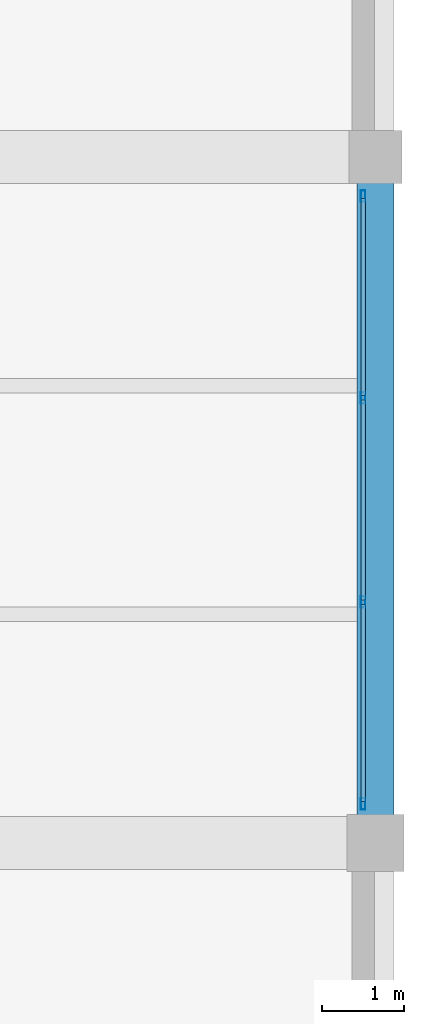
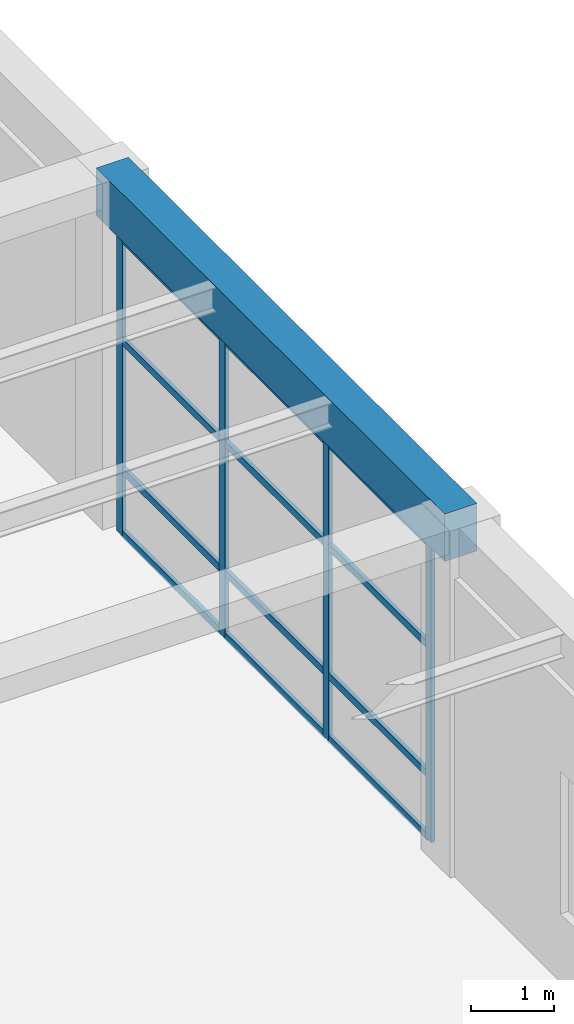
# One storey, part 58 of 96: 16 members, 1 beam, 1 element without a shape of its own.
"""IFC4 building model written with IfcOpenShell, lengths in metres."""

from ifc_helpers import new_model, si_unit, direction, frame, origin, origin_2d, place, context, subcontext, project, spatial, rectangle, hollow_rectangle, extrude, material, material_profile, profile_set, type_object, element, aggregate, save


model = new_model("IFC4")

# Units and contexts
model_context = context("Model", 3, precision=1e-05, world=origin(), true_north=direction((0.0, 1.0)))
body_context = subcontext(model_context, "Body", "Model", "MODEL_VIEW")
ifc_project = project(units=[si_unit("LENGTHUNIT", "METRE"), si_unit("AREAUNIT", "SQUARE_METRE"), si_unit("VOLUMEUNIT", "CUBIC_METRE"), si_unit("PLANEANGLEUNIT", "RADIAN"), si_unit("MASSUNIT", "GRAM", prefix="KILO")], contexts=[model_context])

# Site, building, storey
site_placement = place(None, origin())
site = spatial("IfcSite", under=ifc_project, at=site_placement, CompositionType="ELEMENT")
building_placement = place(site_placement, origin())
building = spatial("IfcBuilding", under=site, at=building_placement, Name="Almacenes y Pasaje Nevantli", CompositionType="ELEMENT")
storey_placement = place(building_placement, frame((0.0, 0.0, 6.0)))
storey = spatial("IfcBuildingStorey", under=building, at=storey_placement, Name="L02", CompositionType="ELEMENT", Elevation=6.0)

# Beam
ifc_material_1 = material(Name="Concrete C35/45", Category="concrete")
ifc_material_profile_1 = material_profile(ifc_material_1, rectangle(XDim=0.449951171875, YDim=0.699951171875, at=origin_2d()), Name="RC-BM-450x700")
ifc_profile_set_1 = profile_set([ifc_material_profile_1], Name="Concrete C35/45")
beam_type = type_object("IfcBeamType", Name="BM-RC-450x700", PredefinedType="SPANDREL", material=ifc_profile_set_1)
beam_placement = place(storey_placement, frame((168.0, 84.0, 4.75), z_axis=(0.0, 1.0, 0.0), x_axis=(-1.0, 0.0, 0.0)))
element("IfcBeam", 1, at=beam_placement, inside=storey, type_object=beam_type, Name="L02 North-South Reinforced Concrete Beam #2199", PredefinedType="SPANDREL", context=body_context, shape_type="SweptSolid", body=[
    extrude(rectangle(XDim=0.449951171875, YDim=0.699951171875, at=origin_2d()), origin(), (0.0, 0.0, 1.0), 8.39990234375),
])

# Curtain wall, members
ifc_material_2 = material(Name="Thermally Broken Aluminium and Low-E Glass", Category="aluminium")
curtain_wall_type = type_object("IfcCurtainWallType", Name="CW-UNIT-PODIUM", PredefinedType="USERDEFINED", material=ifc_material_2)
curtain_wall_placement = place(storey_placement, origin())
curtain_wall = element("IfcCurtainWall", 2, at=curtain_wall_placement, inside=storey, type_object=curtain_wall_type, Name="L02 East Office Wing Curtain Wall Bay 11", ObjectType="UNITIZED CURTAIN WALL", PredefinedType="USERDEFINED")
ifc_material_3 = material(Name="Thermally Broken Anodized Aluminium", Category="aluminium")
ifc_material_profile_2 = material_profile(ifc_material_3, hollow_rectangle(XDim=0.054931640625, YDim=0.139892578125, WallThickness=0.00341796875, at=origin_2d()), Name="ALU-MUL-55x140")
ifc_profile_set_2 = profile_set([ifc_material_profile_2], Name="Thermally Broken Anodized Aluminium")
member_type_1 = type_object("IfcMemberType", Name="CW-MUL-160", PredefinedType="MULLION", material=ifc_profile_set_2)
member_1_placement = place(storey_placement, frame((167.85009765625, 84.4775390625, 0.0), z_axis=(0.0, 0.0, 1.0), x_axis=(-1.0, 0.0, 0.0)))
member_1 = element("IfcMember", 3, at=member_1_placement, type_object=member_type_1, Name="CW-L02-023 mullion 1", PredefinedType="MULLION", context=body_context, shape_type="SweptSolid", body=[
    extrude(hollow_rectangle(XDim=0.054931640625, YDim=0.139892578125, WallThickness=0.00341796875, at=origin_2d()), origin(), (0.0, 0.0, 1.0), 4.3798828125),
])
member_2_placement = place(storey_placement, frame((167.85009765625, 86.949951171875, 0.0), z_axis=(0.0, 0.0, 1.0), x_axis=(-1.0, 0.0, 0.0)))
member_2 = element("IfcMember", 4, at=member_2_placement, type_object=member_type_1, Name="CW-L02-023 mullion 2", PredefinedType="MULLION", context=body_context, shape_type="SweptSolid", body=[
    extrude(hollow_rectangle(XDim=0.054931640625, YDim=0.139892578125, WallThickness=0.00341796875, at=origin_2d()), origin(), (0.0, 0.0, 1.0), 4.3798828125),
])
member_3_placement = place(storey_placement, frame((167.85009765625, 89.449951171875, 0.0), z_axis=(0.0, 0.0, 1.0), x_axis=(-1.0, 0.0, 0.0)))
member_3 = element("IfcMember", 5, at=member_3_placement, type_object=member_type_1, Name="CW-L02-023 mullion 3", PredefinedType="MULLION", context=body_context, shape_type="SweptSolid", body=[
    extrude(hollow_rectangle(XDim=0.054931640625, YDim=0.139892578125, WallThickness=0.00341796875, at=origin_2d()), origin(), (0.0, 0.0, 1.0), 4.3798828125),
])
member_4_placement = place(storey_placement, frame((167.85009765625, 91.922607421875, 0.0), z_axis=(0.0, 0.0, 1.0), x_axis=(-1.0, 0.0, 0.0)))
member_4 = element("IfcMember", 6, at=member_4_placement, type_object=member_type_1, Name="CW-L02-023 mullion 4", PredefinedType="MULLION", context=body_context, shape_type="SweptSolid", body=[
    extrude(hollow_rectangle(XDim=0.054931640625, YDim=0.139892578125, WallThickness=0.00341796875, at=origin_2d()), origin(), (0.0, 0.0, 1.0), 4.3798828125),
])
ifc_material_4 = material(Name="Thermally Broken Anodized Aluminium", Category="aluminium")
ifc_material_profile_3 = material_profile(ifc_material_4, hollow_rectangle(XDim=0.054931640625, YDim=0.10498046875, WallThickness=0.003173828125, at=origin_2d()), Name="ALU-TRN-55x105")
ifc_profile_set_3 = profile_set([ifc_material_profile_3], Name="Thermally Broken Anodized Aluminium")
member_type_2 = type_object("IfcMemberType", Name="CW-TRN-120", PredefinedType="USERDEFINED", material=ifc_profile_set_3)
member_5_placement = place(storey_placement, frame((167.85009765625, 84.5048828125, 0.027587890625), z_axis=(0.0, 1.0, 0.0), x_axis=(-1.0, 0.0, 0.0)))
member_5 = element("IfcMember", 7, at=member_5_placement, type_object=member_type_2, Name="CW-L02-023 transom 1.1", ObjectType="TRANSOM", PredefinedType="USERDEFINED", context=body_context, shape_type="SweptSolid", body=[
    extrude(hollow_rectangle(XDim=0.054931640625, YDim=0.10498046875, WallThickness=0.003173828125, at=origin_2d()), origin(), (0.0, 0.0, 1.0), 2.417724609375),
])
member_6_placement = place(storey_placement, frame((167.85009765625, 84.5048828125, 0.949951171875), z_axis=(0.0, 1.0, 0.0), x_axis=(-1.0, 0.0, 0.0)))
member_6 = element("IfcMember", 8, at=member_6_placement, type_object=member_type_2, Name="CW-L02-023 transom 1.2", ObjectType="TRANSOM", PredefinedType="USERDEFINED", context=body_context, shape_type="SweptSolid", body=[
    extrude(hollow_rectangle(XDim=0.054931640625, YDim=0.10498046875, WallThickness=0.003173828125, at=origin_2d()), origin(), (0.0, 0.0, 1.0), 2.417724609375),
])
member_7_placement = place(storey_placement, frame((167.85009765625, 84.5048828125, 2.85009765625), z_axis=(0.0, 1.0, 0.0), x_axis=(-1.0, 0.0, 0.0)))
member_7 = element("IfcMember", 9, at=member_7_placement, type_object=member_type_2, Name="CW-L02-023 transom 1.3", ObjectType="TRANSOM", PredefinedType="USERDEFINED", context=body_context, shape_type="SweptSolid", body=[
    extrude(hollow_rectangle(XDim=0.054931640625, YDim=0.10498046875, WallThickness=0.003173828125, at=origin_2d()), origin(), (0.0, 0.0, 1.0), 2.417724609375),
])
member_8_placement = place(storey_placement, frame((167.85009765625, 84.5048828125, 4.3525390625), z_axis=(0.0, 1.0, 0.0), x_axis=(-1.0, 0.0, 0.0)))
member_8 = element("IfcMember", 10, at=member_8_placement, type_object=member_type_2, Name="CW-L02-023 transom 1.4", ObjectType="TRANSOM", PredefinedType="USERDEFINED", context=body_context, shape_type="SweptSolid", body=[
    extrude(hollow_rectangle(XDim=0.054931640625, YDim=0.10498046875, WallThickness=0.003173828125, at=origin_2d()), origin(), (0.0, 0.0, 1.0), 2.417724609375),
])
member_9_placement = place(storey_placement, frame((167.85009765625, 86.9775390625, 0.027587890625), z_axis=(0.0, 1.0, 0.0), x_axis=(-1.0, 0.0, 0.0)))
member_9 = element("IfcMember", 11, at=member_9_placement, type_object=member_type_2, Name="CW-L02-023 transom 2.1", ObjectType="TRANSOM", PredefinedType="USERDEFINED", context=body_context, shape_type="SweptSolid", body=[
    extrude(hollow_rectangle(XDim=0.054931640625, YDim=0.10498046875, WallThickness=0.003173828125, at=origin_2d()), origin(), (0.0, 0.0, 1.0), 2.445068359375),
])
member_10_placement = place(storey_placement, frame((167.85009765625, 86.9775390625, 0.949951171875), z_axis=(0.0, 1.0, 0.0), x_axis=(-1.0, 0.0, 0.0)))
member_10 = element("IfcMember", 12, at=member_10_placement, type_object=member_type_2, Name="CW-L02-023 transom 2.2", ObjectType="TRANSOM", PredefinedType="USERDEFINED", context=body_context, shape_type="SweptSolid", body=[
    extrude(hollow_rectangle(XDim=0.054931640625, YDim=0.10498046875, WallThickness=0.003173828125, at=origin_2d()), origin(), (0.0, 0.0, 1.0), 2.445068359375),
])
member_11_placement = place(storey_placement, frame((167.85009765625, 86.9775390625, 2.85009765625), z_axis=(0.0, 1.0, 0.0), x_axis=(-1.0, 0.0, 0.0)))
member_11 = element("IfcMember", 13, at=member_11_placement, type_object=member_type_2, Name="CW-L02-023 transom 2.3", ObjectType="TRANSOM", PredefinedType="USERDEFINED", context=body_context, shape_type="SweptSolid", body=[
    extrude(hollow_rectangle(XDim=0.054931640625, YDim=0.10498046875, WallThickness=0.003173828125, at=origin_2d()), origin(), (0.0, 0.0, 1.0), 2.445068359375),
])
member_12_placement = place(storey_placement, frame((167.85009765625, 86.9775390625, 4.3525390625), z_axis=(0.0, 1.0, 0.0), x_axis=(-1.0, 0.0, 0.0)))
member_12 = element("IfcMember", 14, at=member_12_placement, type_object=member_type_2, Name="CW-L02-023 transom 2.4", ObjectType="TRANSOM", PredefinedType="USERDEFINED", context=body_context, shape_type="SweptSolid", body=[
    extrude(hollow_rectangle(XDim=0.054931640625, YDim=0.10498046875, WallThickness=0.003173828125, at=origin_2d()), origin(), (0.0, 0.0, 1.0), 2.445068359375),
])
member_13_placement = place(storey_placement, frame((167.85009765625, 89.4775390625, 0.027587890625), z_axis=(0.0, 1.0, 0.0), x_axis=(-1.0, 0.0, 0.0)))
member_13 = element("IfcMember", 15, at=member_13_placement, type_object=member_type_2, Name="CW-L02-023 transom 3.1", ObjectType="TRANSOM", PredefinedType="USERDEFINED", context=body_context, shape_type="SweptSolid", body=[
    extrude(hollow_rectangle(XDim=0.054931640625, YDim=0.10498046875, WallThickness=0.003173828125, at=origin_2d()), origin(), (0.0, 0.0, 1.0), 2.41748046875),
])
member_14_placement = place(storey_placement, frame((167.85009765625, 89.4775390625, 0.949951171875), z_axis=(0.0, 1.0, 0.0), x_axis=(-1.0, 0.0, 0.0)))
member_14 = element("IfcMember", 16, at=member_14_placement, type_object=member_type_2, Name="CW-L02-023 transom 3.2", ObjectType="TRANSOM", PredefinedType="USERDEFINED", context=body_context, shape_type="SweptSolid", body=[
    extrude(hollow_rectangle(XDim=0.054931640625, YDim=0.10498046875, WallThickness=0.003173828125, at=origin_2d()), origin(), (0.0, 0.0, 1.0), 2.41748046875),
])
member_15_placement = place(storey_placement, frame((167.85009765625, 89.4775390625, 2.85009765625), z_axis=(0.0, 1.0, 0.0), x_axis=(-1.0, 0.0, 0.0)))
member_15 = element("IfcMember", 17, at=member_15_placement, type_object=member_type_2, Name="CW-L02-023 transom 3.3", ObjectType="TRANSOM", PredefinedType="USERDEFINED", context=body_context, shape_type="SweptSolid", body=[
    extrude(hollow_rectangle(XDim=0.054931640625, YDim=0.10498046875, WallThickness=0.003173828125, at=origin_2d()), origin(), (0.0, 0.0, 1.0), 2.41748046875),
])
member_16_placement = place(storey_placement, frame((167.85009765625, 89.4775390625, 4.3525390625), z_axis=(0.0, 1.0, 0.0), x_axis=(-1.0, 0.0, 0.0)))
member_16 = element("IfcMember", 18, at=member_16_placement, type_object=member_type_2, Name="CW-L02-023 transom 3.4", ObjectType="TRANSOM", PredefinedType="USERDEFINED", context=body_context, shape_type="SweptSolid", body=[
    extrude(hollow_rectangle(XDim=0.054931640625, YDim=0.10498046875, WallThickness=0.003173828125, at=origin_2d()), origin(), (0.0, 0.0, 1.0), 2.41748046875),
])
aggregate(curtain_wall, [member_1, member_2, member_3, member_4, member_5, member_6, member_7, member_8, member_9, member_10, member_11, member_12, member_13, member_14, member_15, member_16])

save(model, "model.ifc")
